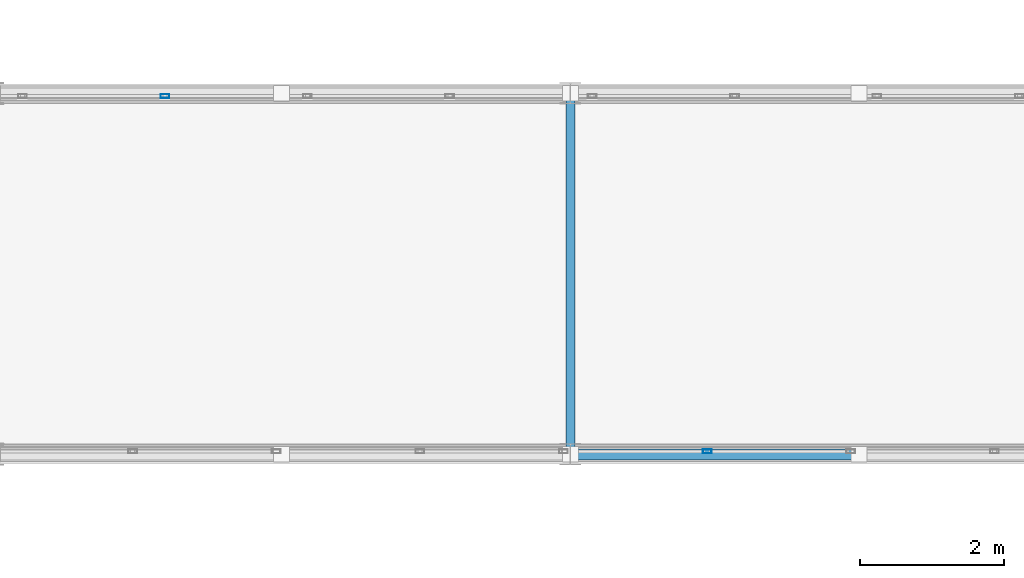
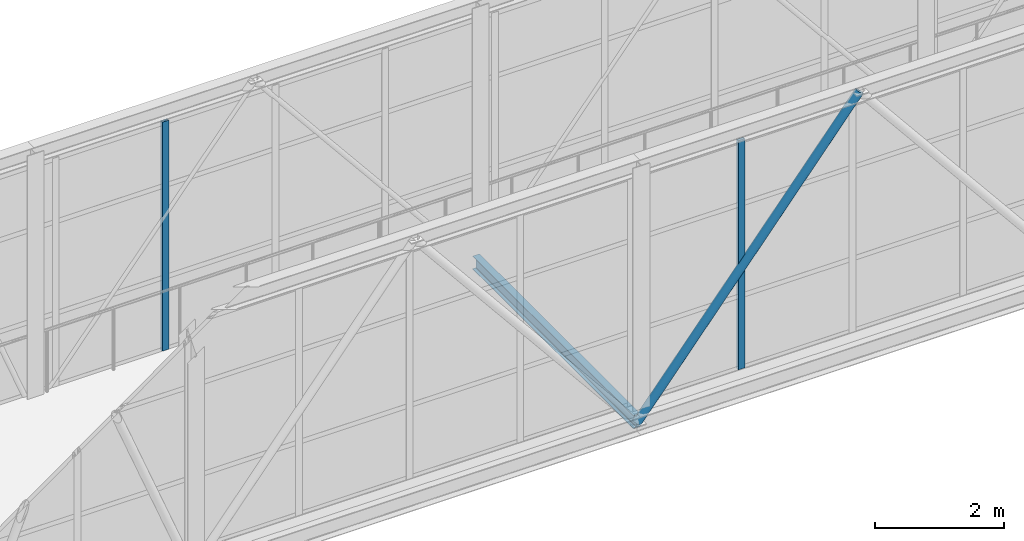
# One storey, part 150 of 248: 4 members, 2 elements without a shape of their own.
"""IFC4 building model written with IfcOpenShell, lengths in metres."""

import ifcopenshell
import ifcopenshell.guid

model = None  # the IFC model being written
_history = None  # IfcOwnerHistory: only IFC2X3 demands one
_inside = {}  # id of a spatial element -> (the spatial element, [elements in it])
_under = {}  # id of a project, library or spatial element -> (it, [spatial elements below it])
_declared = {}  # id of a project -> (the project, [libraries it declares])
_typed = {}  # id of a type object -> (the type object, [elements of that type])
_made_of = {}  # id of a material, layer set ... -> (it, [elements and type objects made of it])


def new_model(schema):
    """Start an empty IFC model of exactly this schema.

    Asked for "IFC4X3", IfcOpenShell would pick the latest addendum, in which some entities
    have other attributes; the version numbers below select the first issue.
    IFC2X3 requires an IfcOwnerHistory on every rooted entity: one is made here for all.
    """
    global model, _history
    if schema == "IFC4X3":
        model = ifcopenshell.file(schema_version=(4, 3, 0, 0))
    else:
        model = ifcopenshell.file(schema=schema)
    _inside.clear()
    _under.clear()
    _declared.clear()
    _typed.clear()
    _made_of.clear()
    _history = None
    if model.schema == "IFC2X3":
        org = make("IfcOrganization", Name="unknown")
        user = make(
            "IfcPersonAndOrganization",
            ThePerson=make("IfcPerson", FamilyName="unknown"),
            TheOrganization=org,
        )
        app = make(
            "IfcApplication",
            ApplicationDeveloper=org,
            Version="unknown",
            ApplicationFullName="unknown",
            ApplicationIdentifier="unknown",
        )
        _history = make(
            "IfcOwnerHistory",
            OwningUser=user,
            OwningApplication=app,
            ChangeAction="ADDED",
            CreationDate=0,
        )
    return model


def make(cls, **values):
    """One entity of the class cls with the attributes given. An attribute that is None is left unset."""
    return model.create_entity(
        cls, **{name: value for name, value in values.items() if value is not None}
    )


def rooted(cls, **values):
    """An entity with a GlobalId (a new one), such as an element, a storey or a relation."""
    return make(cls, GlobalId=ifcopenshell.guid.new(), OwnerHistory=_history, **values)


def si_unit(unit_type, name, prefix=None):
    """IfcSIUnit, for example si_unit("LENGTHUNIT", "METRE", prefix="MILLI")."""
    return make("IfcSIUnit", UnitType=unit_type, Prefix=prefix, Name=name)


def assignment(units):
    """IfcUnitAssignment: the units of a project."""
    return None if units is None else make("IfcUnitAssignment", Units=units)


def point(xyz):
    """IfcCartesianPoint."""
    return None if xyz is None else make("IfcCartesianPoint", Coordinates=xyz)


def direction(xyz):
    """IfcDirection."""
    return None if xyz is None else make("IfcDirection", DirectionRatios=xyz)


def frame(location, z_axis=None, x_axis=None):
    """IfcAxis2Placement3D, a coordinate frame: its origin and axes. An axis left out is left unset."""
    return make(
        "IfcAxis2Placement3D",
        Location=point(location),
        Axis=direction(z_axis),
        RefDirection=direction(x_axis),
    )


def frame_2d(location, x_axis=None):
    """IfcAxis2Placement2D, a coordinate frame in the plane: its origin and x axis."""
    return make(
        "IfcAxis2Placement2D", Location=point(location), RefDirection=direction(x_axis)
    )


def origin():
    """The frame at (0, 0, 0) with its axes left unset."""
    return frame((0.0, 0.0, 0.0))


def origin_2d():
    """The frame at (0, 0) in the plane with its x axis left unset."""
    return frame_2d((0.0, 0.0))


def place(relative_to, where):
    """IfcLocalPlacement: puts the frame where relative to a parent placement (None: the world)."""
    return make(
        "IfcLocalPlacement", PlacementRelTo=relative_to, RelativePlacement=where
    )


def context(
    kind, dimensions, precision=None, world=None, true_north=None, identifier=None
):
    """IfcGeometricRepresentationContext, for example the 3D "Model" context."""
    return make(
        "IfcGeometricRepresentationContext",
        ContextIdentifier=identifier,
        ContextType=kind,
        CoordinateSpaceDimension=dimensions,
        Precision=precision,
        WorldCoordinateSystem=world,
        TrueNorth=true_north,
    )


def subcontext(parent, identifier, kind, view, scale=None):
    """IfcGeometricRepresentationSubContext, for example "Body" below "Model"."""
    return make(
        "IfcGeometricRepresentationSubContext",
        ContextIdentifier=identifier,
        ContextType=kind,
        ParentContext=parent,
        TargetScale=scale,
        TargetView=view,
    )


def project(units=None, contexts=None):
    """IfcProject with its units and contexts."""
    return rooted(
        "IfcProject",
        Name="project",
        RepresentationContexts=contexts,
        UnitsInContext=assignment(units),
    )


def spatial(cls, under=None, at=None, **own):
    """A site, building, storey or space (cls), placed at a placement, below another one or the project."""
    s = rooted(cls, ObjectPlacement=at, **own)
    if under is not None:
        _under.setdefault(under.id(), (under, []))[1].append(s)
    return s


def profile(cls, at=None, kind="AREA", **sizes):
    """A parametric profile (cls). Its sizes go by their IFC names, for example OverallWidth=200.0."""
    return make(cls, ProfileType=kind, Position=at, **sizes)


def hollow_rectangle(**sizes):
    """IfcRectangleHollowProfileDef."""
    return profile("IfcRectangleHollowProfileDef", **sizes)


def hollow_circle(**sizes):
    """IfcCircleHollowProfileDef."""
    return profile("IfcCircleHollowProfileDef", **sizes)


def i_section(**sizes):
    """IfcIShapeProfileDef."""
    return profile("IfcIShapeProfileDef", **sizes)


def extrude(swept, where, along, depth):
    """IfcExtrudedAreaSolid: the profile swept, set in the frame where, extruded along a direction by depth."""
    return make(
        "IfcExtrudedAreaSolid",
        SweptArea=swept,
        Position=where,
        ExtrudedDirection=direction(along),
        Depth=depth,
    )


def shape(context_of_items, identifier, shape_type, items):
    """IfcShapeRepresentation: the items that make up one representation, for example the "Body"."""
    return make(
        "IfcShapeRepresentation",
        ContextOfItems=context_of_items,
        RepresentationIdentifier=identifier,
        RepresentationType=shape_type,
        Items=items,
    )


def material(Name=None, Category=None):
    """IfcMaterial."""
    return make("IfcMaterial", Name=Name, Category=Category)


def layer(
    of_material, thickness, ventilated=None, Name=None, Category=None, Priority=None
):
    """IfcMaterialLayer: one layer of a wall or slab, of a material (None: an air gap)."""
    return make(
        "IfcMaterialLayer",
        Material=of_material,
        LayerThickness=thickness,
        IsVentilated=ventilated,
        Name=Name,
        Category=Category,
        Priority=Priority,
    )


def layer_set(layers, Name=None):
    """IfcMaterialLayerSet."""
    return make("IfcMaterialLayerSet", MaterialLayers=layers, LayerSetName=Name)


def material_profile(
    of_material, cross_section, Name=None, Category=None, Priority=None
):
    """IfcMaterialProfile: a cross section and its material."""
    return make(
        "IfcMaterialProfile",
        Name=Name,
        Material=of_material,
        Profile=cross_section,
        Priority=Priority,
        Category=Category,
    )


def profile_set(profiles, Name=None, composite=None):
    """IfcMaterialProfileSet."""
    return make(
        "IfcMaterialProfileSet",
        Name=Name,
        MaterialProfiles=profiles,
        CompositeProfile=composite,
    )


def made_of(thing, what):
    """Note that an element or type object is made of a material, layer set ...; save() writes the relation."""
    if what is not None:
        _made_of.setdefault(what.id(), (what, []))[1].append(thing)
    return thing


def type_object(cls, material=None, **own):
    """A type object (cls), such as IfcWallType, which elements share."""
    return made_of(rooted(cls, **own), material)


def element(
    cls,
    number,
    at=None,
    inside=None,
    cuts=None,
    type_object=None,
    material=None,
    context=None,
    identifier="Body",
    shape_type=None,
    held_by="IfcProductDefinitionShape",
    body=None,
    shapes=None,
    **own,
):
    """One element of the class cls, such as IfcWall. Its Tag is "e" and its number.

    at: its placement. inside: the storey or other place that contains it. cuts: it is an
    opening in that element (IfcRelVoidsElement). A single representation is given by context,
    identifier, shape_type and body (its items); several are given by shapes. held_by: the class
    of the entity that holds the representations. save() writes the other relations.
    """
    e = rooted(cls, Tag="e%d" % number, ObjectPlacement=at, **own)
    if body is not None:
        shapes = [shape(context, identifier, shape_type, body)]
    if shapes is not None:
        e.Representation = make(held_by, Representations=shapes)
    if inside is not None:
        _inside.setdefault(inside.id(), (inside, []))[1].append(e)
    if cuts is not None:
        rooted(
            "IfcRelVoidsElement", RelatingBuildingElement=cuts, RelatedOpeningElement=e
        )
    if type_object is not None:
        _typed.setdefault(type_object.id(), (type_object, []))[1].append(e)
    return made_of(e, material)


def aggregate(whole, parts):
    """IfcRelAggregates: a whole, such as a stair, and the parts it consists of."""
    return rooted("IfcRelAggregates", RelatingObject=whole, RelatedObjects=parts)


def save(model, path):
    """Write the relations noted so far, then the file.

    IfcRelAggregates (storeys below a building ...), IfcRelContainedInSpatialStructure (elements
    in a storey), IfcRelDefinesByType, IfcRelAssociatesMaterial and IfcRelDeclares: one each for
    every whole, place, type object, material and project.
    """
    for whole, parts in _under.values():
        aggregate(whole, parts)
    for where, things in _inside.values():
        rooted(
            "IfcRelContainedInSpatialStructure",
            RelatedElements=things,
            RelatingStructure=where,
        )
    for kind, things in _typed.values():
        rooted("IfcRelDefinesByType", RelatedObjects=things, RelatingType=kind)
    for what, things in _made_of.values():
        rooted("IfcRelAssociatesMaterial", RelatedObjects=things, RelatingMaterial=what)
    for by, libraries in _declared.values():
        rooted("IfcRelDeclares", RelatingContext=by, RelatedDefinitions=libraries)
    model.write(path)


model = new_model("IFC4")

# Units and contexts
model_context = context("Model", 3, precision=1e-05, world=origin(), true_north=direction((0.0, 1.0)))
body_context = subcontext(model_context, "Body", "Model", "MODEL_VIEW")
ifc_project = project(units=[si_unit("LENGTHUNIT", "METRE"), si_unit("AREAUNIT", "SQUARE_METRE"), si_unit("VOLUMEUNIT", "CUBIC_METRE"), si_unit("PLANEANGLEUNIT", "RADIAN"), si_unit("MASSUNIT", "GRAM", prefix="KILO")], contexts=[model_context])

# Site, building, storey
site_placement = place(None, origin())
site = spatial("IfcSite", under=ifc_project, at=site_placement, CompositionType="ELEMENT")
building_placement = place(site_placement, origin())
building = spatial("IfcBuilding", under=site, at=building_placement, Name="Canggui Botanical Conservatory", CompositionType="ELEMENT")
storey_placement = place(building_placement, frame((0.0, 0.0, 5.39990234375)))
storey = spatial("IfcBuildingStorey", under=building, at=storey_placement, Name="L02", CompositionType="ELEMENT", Elevation=5.39990234375)

# Curtain wall, member
ifc_material_1 = material(Name="Thermally Broken Aluminium", Category="aluminium")
ifc_layer = layer(ifc_material_1, 0.1201171875, Name="Thermally Broken Aluminium", Category="aluminium")
ifc_layer_set = layer_set([ifc_layer], Name="Thermally Broken Aluminium")
curtain_wall_type = type_object("IfcCurtainWallType", Name="CW-STICK-B", PredefinedType="USERDEFINED", material=ifc_layer_set)
curtain_wall_1_placement = place(storey_placement, origin())
curtain_wall_1 = element("IfcCurtainWall", 1, at=curtain_wall_1_placement, inside=storey, type_object=curtain_wall_type, Name="Facade Curtain Wall CW-SB-04-1", ObjectType="STICK GLAZED WALL", PredefinedType="USERDEFINED")
ifc_material_profile_1 = material_profile(ifc_material_1, hollow_rectangle(XDim=0.054931640625, YDim=0.1201171875, WallThickness=0.0029296875, at=origin_2d()), Name="CWM 55x120x3")
ifc_profile_set_1 = profile_set([ifc_material_profile_1], Name="Thermally Broken Aluminium")
member_type_1 = type_object("IfcMemberType", Name="CWM-05", PredefinedType="MULLION", material=ifc_profile_set_1)
member_1_placement = place(storey_placement, frame((83.394775390625, 75.0400390625, 0.0), z_axis=(0.0, 0.0, 1.0), x_axis=(0.0, 1.0, 0.0)))
member_1 = element("IfcMember", 2, at=member_1_placement, type_object=member_type_1, Name="CW-05 mullion 9", PredefinedType="MULLION", context=body_context, shape_type="SweptSolid", body=[
    extrude(hollow_rectangle(XDim=0.054931640625, YDim=0.1201171875, WallThickness=0.0029296875, at=origin_2d()), origin(), (0.0, 0.0, 1.0), 4.35009765625),
])
aggregate(curtain_wall_1, [member_1])

curtain_wall_2_placement = place(storey_placement, origin())
curtain_wall_2 = element("IfcCurtainWall", 3, at=curtain_wall_2_placement, inside=storey, type_object=curtain_wall_type, Name="Facade Curtain Wall CW-SB-04-2", ObjectType="STICK GLAZED WALL", PredefinedType="USERDEFINED")
member_2_placement = place(storey_placement, frame((75.884033203125, 79.9599609375, 0.0), z_axis=(0.0, 0.0, 1.0), x_axis=(0.0, 1.0, 0.0)))
member_2 = element("IfcMember", 4, at=member_2_placement, type_object=member_type_1, Name="CW-05 mullion 6", PredefinedType="MULLION", context=body_context, shape_type="SweptSolid", body=[
    extrude(hollow_rectangle(XDim=0.054931640625, YDim=0.1201171875, WallThickness=0.0029296875, at=origin_2d()), origin(), (0.0, 0.0, 1.0), 4.35009765625),
])
aggregate(curtain_wall_2, [member_2])

# Members
ifc_material_2 = material(Name="Steel Q355C", Category="steel")
ifc_material_profile_2 = material_profile(ifc_material_2, hollow_circle(Radius=0.075927734375, WallThickness=0.006103515625, at=origin_2d()), Name="CHS 152x6")
ifc_profile_set_2 = profile_set([ifc_material_profile_2], Name="Steel Q355C")
member_type_2 = type_object("IfcMemberType", Name="MEM-GSD04", PredefinedType="RAFTER", material=ifc_profile_set_2)
member_3_placement = place(storey_placement, frame((81.5, 75.0, -0.349853515625), z_axis=(0.632384053133, 0.0, 0.774655026024), x_axis=(0.0, 1.0, 0.0)))
element("IfcMember", 5, at=member_3_placement, inside=storey, type_object=member_type_2, Name="SB-04 Truss Web Rafter 1.4A", PredefinedType="RAFTER", context=body_context, shape_type="SweptSolid", body=[
    extrude(hollow_circle(Radius=0.075927734375, WallThickness=0.006103515625, at=origin_2d()), origin(), (0.0, 0.0, 1.0), 6.3251953125),
])
ifc_material_3 = material(Name="Steel Q355B", Category="steel")
ifc_material_profile_3 = material_profile(ifc_material_3, i_section(OverallWidth=0.125, OverallDepth=0.25, WebThickness=0.006103515625, FlangeThickness=0.009033203125, FilletRadius=0.011962890625, at=origin_2d()), Name="HN 250x125x6x9")
ifc_profile_set_3 = profile_set([ifc_material_profile_3], Name="Steel Q355B")
member_type_3 = type_object("IfcMemberType", Name="MEM-STR01", PredefinedType="STRINGER", material=ifc_profile_set_3)
member_4_placement = place(storey_placement, frame((81.5, 75.0, -0.31982421875), z_axis=(0.0, 1.0, 0.0), x_axis=(-1.0, 0.0, 0.0)))
element("IfcMember", 6, at=member_4_placement, inside=storey, type_object=member_type_3, Name="SB-04 Deck Transverse Stringer 2", PredefinedType="STRINGER", context=body_context, shape_type="SweptSolid", body=[
    extrude(i_section(OverallWidth=0.125, OverallDepth=0.25, WebThickness=0.006103515625, FlangeThickness=0.009033203125, FilletRadius=0.011962890625, at=origin_2d()), origin(), (0.0, 0.0, 1.0), 5.0),
])

save(model, "model.ifc")
